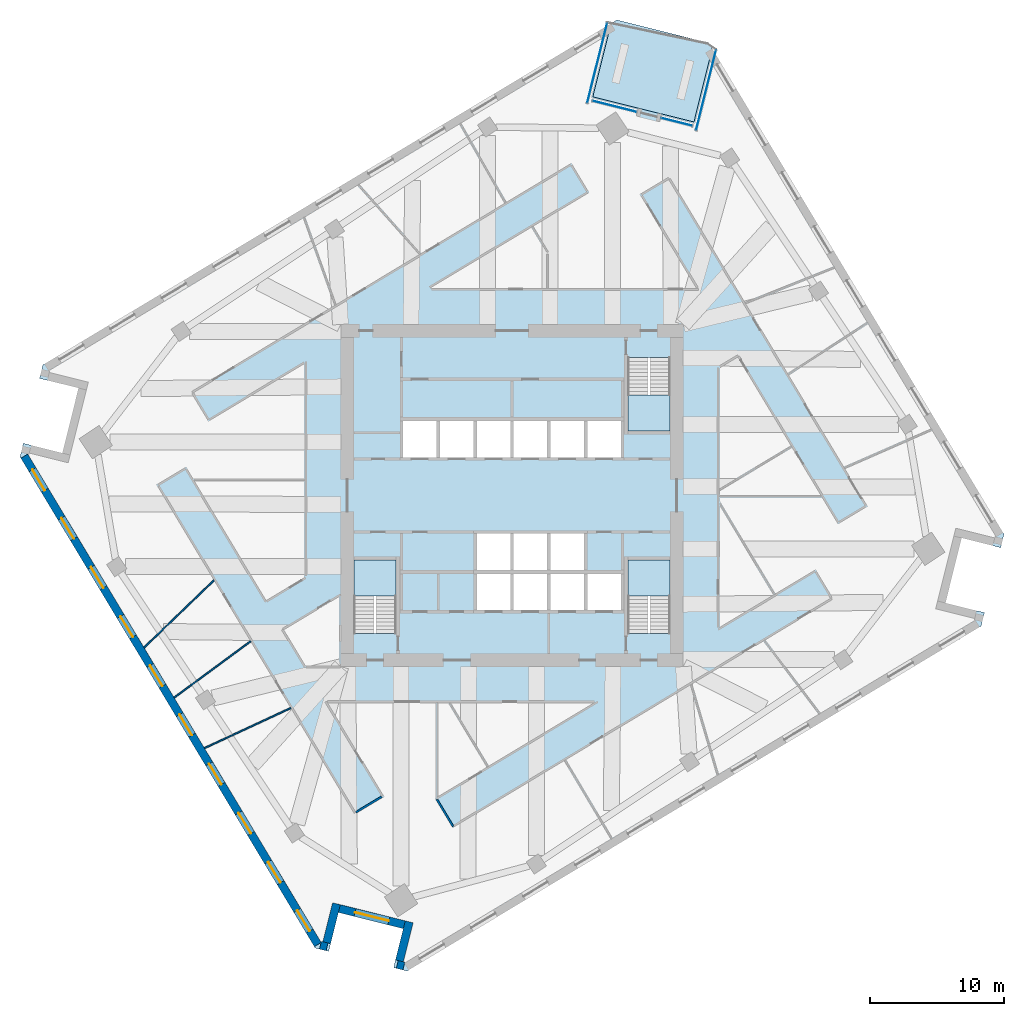
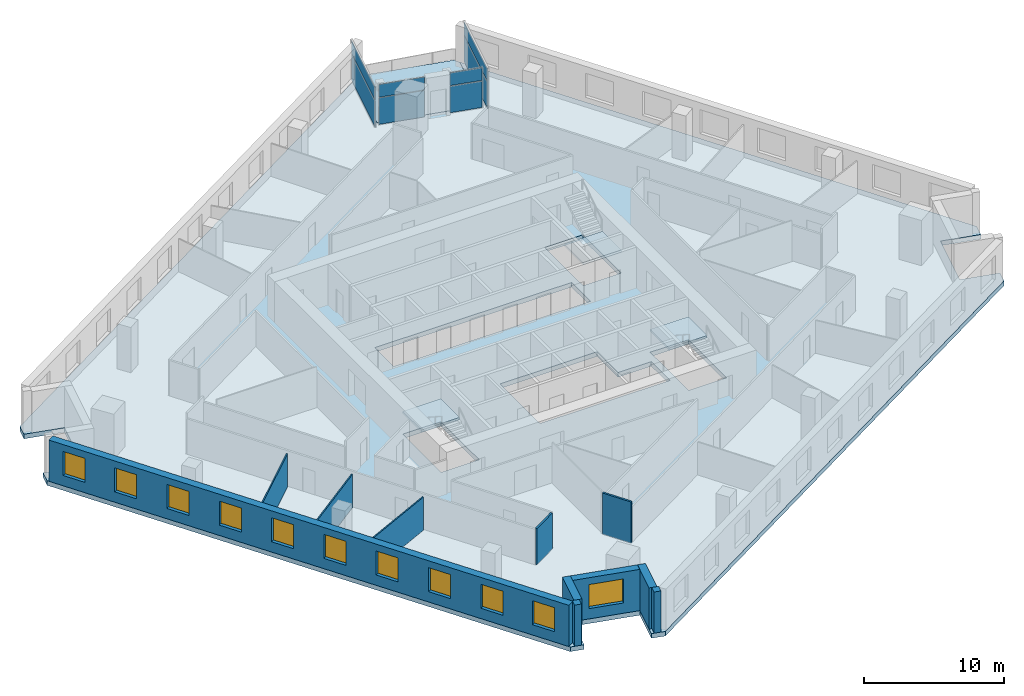
# One storey, part 5 of 14: 11 walls, 11 windows, 8 plates, 5 slabs, 11 openings, 7 elements without a shape of their own.
"""IFC4 building model written with IfcOpenShell, lengths in metres."""

import ifcopenshell
import ifcopenshell.guid

model = None  # the IFC model being written
_history = None  # IfcOwnerHistory: only IFC2X3 demands one
_inside = {}  # id of a spatial element -> (the spatial element, [elements in it])
_under = {}  # id of a project, library or spatial element -> (it, [spatial elements below it])
_declared = {}  # id of a project -> (the project, [libraries it declares])
_typed = {}  # id of a type object -> (the type object, [elements of that type])
_made_of = {}  # id of a material, layer set ... -> (it, [elements and type objects made of it])


def new_model(schema):
    """Start an empty IFC model of exactly this schema.

    Asked for "IFC4X3", IfcOpenShell would pick the latest addendum, in which some entities
    have other attributes; the version numbers below select the first issue.
    IFC2X3 requires an IfcOwnerHistory on every rooted entity: one is made here for all.
    """
    global model, _history
    if schema == "IFC4X3":
        model = ifcopenshell.file(schema_version=(4, 3, 0, 0))
    else:
        model = ifcopenshell.file(schema=schema)
    _inside.clear()
    _under.clear()
    _declared.clear()
    _typed.clear()
    _made_of.clear()
    _history = None
    if model.schema == "IFC2X3":
        org = make("IfcOrganization", Name="unknown")
        user = make(
            "IfcPersonAndOrganization",
            ThePerson=make("IfcPerson", FamilyName="unknown"),
            TheOrganization=org,
        )
        app = make(
            "IfcApplication",
            ApplicationDeveloper=org,
            Version="unknown",
            ApplicationFullName="unknown",
            ApplicationIdentifier="unknown",
        )
        _history = make(
            "IfcOwnerHistory",
            OwningUser=user,
            OwningApplication=app,
            ChangeAction="ADDED",
            CreationDate=0,
        )
    return model


def make(cls, **values):
    """One entity of the class cls with the attributes given. An attribute that is None is left unset."""
    return model.create_entity(
        cls, **{name: value for name, value in values.items() if value is not None}
    )


def rooted(cls, **values):
    """An entity with a GlobalId (a new one), such as an element, a storey or a relation."""
    return make(cls, GlobalId=ifcopenshell.guid.new(), OwnerHistory=_history, **values)


def si_unit(unit_type, name, prefix=None):
    """IfcSIUnit, for example si_unit("LENGTHUNIT", "METRE", prefix="MILLI")."""
    return make("IfcSIUnit", UnitType=unit_type, Prefix=prefix, Name=name)


def assignment(units):
    """IfcUnitAssignment: the units of a project."""
    return None if units is None else make("IfcUnitAssignment", Units=units)


def point(xyz):
    """IfcCartesianPoint."""
    return None if xyz is None else make("IfcCartesianPoint", Coordinates=xyz)


def direction(xyz):
    """IfcDirection."""
    return None if xyz is None else make("IfcDirection", DirectionRatios=xyz)


def frame(location, z_axis=None, x_axis=None):
    """IfcAxis2Placement3D, a coordinate frame: its origin and axes. An axis left out is left unset."""
    return make(
        "IfcAxis2Placement3D",
        Location=point(location),
        Axis=direction(z_axis),
        RefDirection=direction(x_axis),
    )


def frame_2d(location, x_axis=None):
    """IfcAxis2Placement2D, a coordinate frame in the plane: its origin and x axis."""
    return make(
        "IfcAxis2Placement2D", Location=point(location), RefDirection=direction(x_axis)
    )


def origin():
    """The frame at (0, 0, 0) with its axes left unset."""
    return frame((0.0, 0.0, 0.0))


def origin_2d():
    """The frame at (0, 0) in the plane with its x axis left unset."""
    return frame_2d((0.0, 0.0))


def place(relative_to, where):
    """IfcLocalPlacement: puts the frame where relative to a parent placement (None: the world)."""
    return make(
        "IfcLocalPlacement", PlacementRelTo=relative_to, RelativePlacement=where
    )


def context(
    kind, dimensions, precision=None, world=None, true_north=None, identifier=None
):
    """IfcGeometricRepresentationContext, for example the 3D "Model" context."""
    return make(
        "IfcGeometricRepresentationContext",
        ContextIdentifier=identifier,
        ContextType=kind,
        CoordinateSpaceDimension=dimensions,
        Precision=precision,
        WorldCoordinateSystem=world,
        TrueNorth=true_north,
    )


def subcontext(parent, identifier, kind, view, scale=None):
    """IfcGeometricRepresentationSubContext, for example "Body" below "Model"."""
    return make(
        "IfcGeometricRepresentationSubContext",
        ContextIdentifier=identifier,
        ContextType=kind,
        ParentContext=parent,
        TargetScale=scale,
        TargetView=view,
    )


def project(units=None, contexts=None):
    """IfcProject with its units and contexts."""
    return rooted(
        "IfcProject",
        Name="project",
        RepresentationContexts=contexts,
        UnitsInContext=assignment(units),
    )


def spatial(cls, under=None, at=None, **own):
    """A site, building, storey or space (cls), placed at a placement, below another one or the project."""
    s = rooted(cls, ObjectPlacement=at, **own)
    if under is not None:
        _under.setdefault(under.id(), (under, []))[1].append(s)
    return s


def polyline(points):
    """IfcPolyline through the points."""
    return make("IfcPolyline", Points=[point(p) for p in points])


def profile(cls, at=None, kind="AREA", **sizes):
    """A parametric profile (cls). Its sizes go by their IFC names, for example OverallWidth=200.0."""
    return make(cls, ProfileType=kind, Position=at, **sizes)


def rectangle(**sizes):
    """IfcRectangleProfileDef."""
    return profile("IfcRectangleProfileDef", **sizes)


def outline(outer, holes=None, kind="AREA"):
    """IfcArbitraryClosedProfileDef: a profile drawn as a closed curve; with holes, ...WithVoids."""
    if holes is None:
        return make("IfcArbitraryClosedProfileDef", ProfileType=kind, OuterCurve=outer)
    return make(
        "IfcArbitraryProfileDefWithVoids",
        ProfileType=kind,
        OuterCurve=outer,
        InnerCurves=holes,
    )


def extrude(swept, where, along, depth):
    """IfcExtrudedAreaSolid: the profile swept, set in the frame where, extruded along a direction by depth."""
    return make(
        "IfcExtrudedAreaSolid",
        SweptArea=swept,
        Position=where,
        ExtrudedDirection=direction(along),
        Depth=depth,
    )


def shape(context_of_items, identifier, shape_type, items):
    """IfcShapeRepresentation: the items that make up one representation, for example the "Body"."""
    return make(
        "IfcShapeRepresentation",
        ContextOfItems=context_of_items,
        RepresentationIdentifier=identifier,
        RepresentationType=shape_type,
        Items=items,
    )


def material(Name=None, Category=None):
    """IfcMaterial."""
    return make("IfcMaterial", Name=Name, Category=Category)


def layer(
    of_material, thickness, ventilated=None, Name=None, Category=None, Priority=None
):
    """IfcMaterialLayer: one layer of a wall or slab, of a material (None: an air gap)."""
    return make(
        "IfcMaterialLayer",
        Material=of_material,
        LayerThickness=thickness,
        IsVentilated=ventilated,
        Name=Name,
        Category=Category,
        Priority=Priority,
    )


def layer_set(layers, Name=None):
    """IfcMaterialLayerSet."""
    return make("IfcMaterialLayerSet", MaterialLayers=layers, LayerSetName=Name)


def made_of(thing, what):
    """Note that an element or type object is made of a material, layer set ...; save() writes the relation."""
    if what is not None:
        _made_of.setdefault(what.id(), (what, []))[1].append(thing)
    return thing


def type_object(cls, material=None, **own):
    """A type object (cls), such as IfcWallType, which elements share."""
    return made_of(rooted(cls, **own), material)


def element(
    cls,
    number,
    at=None,
    inside=None,
    cuts=None,
    type_object=None,
    material=None,
    context=None,
    identifier="Body",
    shape_type=None,
    held_by="IfcProductDefinitionShape",
    body=None,
    shapes=None,
    **own,
):
    """One element of the class cls, such as IfcWall. Its Tag is "e" and its number.

    at: its placement. inside: the storey or other place that contains it. cuts: it is an
    opening in that element (IfcRelVoidsElement). A single representation is given by context,
    identifier, shape_type and body (its items); several are given by shapes. held_by: the class
    of the entity that holds the representations. save() writes the other relations.
    """
    e = rooted(cls, Tag="e%d" % number, ObjectPlacement=at, **own)
    if body is not None:
        shapes = [shape(context, identifier, shape_type, body)]
    if shapes is not None:
        e.Representation = make(held_by, Representations=shapes)
    if inside is not None:
        _inside.setdefault(inside.id(), (inside, []))[1].append(e)
    if cuts is not None:
        rooted(
            "IfcRelVoidsElement", RelatingBuildingElement=cuts, RelatedOpeningElement=e
        )
    if type_object is not None:
        _typed.setdefault(type_object.id(), (type_object, []))[1].append(e)
    return made_of(e, material)


def fill(opening, filler):
    """IfcRelFillsElement: the door or window that sits in an opening."""
    return rooted(
        "IfcRelFillsElement",
        RelatingOpeningElement=opening,
        RelatedBuildingElement=filler,
    )


def aggregate(whole, parts):
    """IfcRelAggregates: a whole, such as a stair, and the parts it consists of."""
    return rooted("IfcRelAggregates", RelatingObject=whole, RelatedObjects=parts)


def save(model, path):
    """Write the relations noted so far, then the file.

    IfcRelAggregates (storeys below a building ...), IfcRelContainedInSpatialStructure (elements
    in a storey), IfcRelDefinesByType, IfcRelAssociatesMaterial and IfcRelDeclares: one each for
    every whole, place, type object, material and project.
    """
    for whole, parts in _under.values():
        aggregate(whole, parts)
    for where, things in _inside.values():
        rooted(
            "IfcRelContainedInSpatialStructure",
            RelatedElements=things,
            RelatingStructure=where,
        )
    for kind, things in _typed.values():
        rooted("IfcRelDefinesByType", RelatedObjects=things, RelatingType=kind)
    for what, things in _made_of.values():
        rooted("IfcRelAssociatesMaterial", RelatedObjects=things, RelatingMaterial=what)
    for by, libraries in _declared.values():
        rooted("IfcRelDeclares", RelatingContext=by, RelatedDefinitions=libraries)
    model.write(path)


model = new_model("IFC4")

# Units and contexts
model_context = context("Model", 3, precision=1e-05, world=origin(), true_north=direction((0.0, 1.0)))
body_context = subcontext(model_context, "Body", "Model", "MODEL_VIEW")
ifc_project = project(units=[si_unit("LENGTHUNIT", "METRE"), si_unit("AREAUNIT", "SQUARE_METRE"), si_unit("VOLUMEUNIT", "CUBIC_METRE"), si_unit("PLANEANGLEUNIT", "RADIAN"), si_unit("MASSUNIT", "GRAM", prefix="KILO")], contexts=[model_context])

# Site, building, storey
site_placement = place(None, origin())
site = spatial("IfcSite", under=ifc_project, at=site_placement, CompositionType="ELEMENT")
building_placement = place(site_placement, origin())
building = spatial("IfcBuilding", under=site, at=building_placement, Name="Dilmun Exchange Tower", CompositionType="ELEMENT")
storey_placement = place(building_placement, frame((0.0, 0.0, 147.699951171875)))
storey = spatial("IfcBuildingStorey", under=building, at=storey_placement, Name="L34", CompositionType="ELEMENT", Elevation=147.699951171875)

# Stair, slab
ifc_material_1 = material(Name="Concrete C40/50", Category="concrete")
stair_type = type_object("IfcStairType", Name="Exit stair 1500 half-turn", PredefinedType="HALF_TURN_STAIR", material=ifc_material_1)
stair_1_placement = place(storey_placement, origin())
stair_1 = element("IfcStair", 1, at=stair_1_placement, inside=storey, type_object=stair_type, Name="L34 Protected exit stair ST1", PredefinedType="HALF_TURN_STAIR")
ifc_layer_1 = layer(ifc_material_1, 0.199951171875)
ifc_layer_set_1 = layer_set([ifc_layer_1], Name="Concrete C40/50")
slab_type_1 = type_object("IfcSlabType", Name="Exit stair landing 200", PredefinedType="LANDING", material=ifc_layer_set_1)
slab_1_placement = place(storey_placement, frame((0.0, 0.0, 1.800048828125)))
slab_1 = element("IfcSlab", 2, at=slab_1_placement, type_object=slab_type_1, Name="ST1 landing 1", PredefinedType="LANDING", context=body_context, shape_type="SweptSolid", body=[
    extrude(outline(polyline([(8.64990234375, 7.5), (8.64990234375, 4.800048828125), (11.800048828125, 4.800048828125), (11.800048828125, 7.5), (8.64990234375, 7.5)])), origin(), (0.0, 0.0, 1.0), 0.199951171875),
])
aggregate(stair_1, [slab_1])

stair_2_placement = place(storey_placement, origin())
stair_2 = element("IfcStair", 3, at=stair_2_placement, inside=storey, type_object=stair_type, Name="L34 Protected exit stair ST2", PredefinedType="HALF_TURN_STAIR")
slab_2_placement = place(storey_placement, frame((0.0, 0.0, 1.800048828125)))
slab_2 = element("IfcSlab", 4, at=slab_2_placement, type_object=slab_type_1, Name="ST2 landing 1", PredefinedType="LANDING", context=body_context, shape_type="SweptSolid", body=[
    extrude(outline(polyline([(-8.64990234375, -7.5), (-8.64990234375, -4.800048828125), (-11.800048828125, -4.800048828125), (-11.800048828125, -7.5), (-8.64990234375, -7.5)])), origin(), (0.0, 0.0, 1.0), 0.199951171875),
])
aggregate(stair_2, [slab_2])

stair_3_placement = place(storey_placement, origin())
stair_3 = element("IfcStair", 5, at=stair_3_placement, inside=storey, type_object=stair_type, Name="L34 Protected exit stair ST3", PredefinedType="HALF_TURN_STAIR")
slab_3_placement = place(storey_placement, frame((0.0, 0.0, 1.800048828125)))
slab_3 = element("IfcSlab", 6, at=slab_3_placement, type_object=slab_type_1, Name="ST3 landing 1", PredefinedType="LANDING", context=body_context, shape_type="SweptSolid", body=[
    extrude(outline(polyline([(11.800048828125, -7.5), (11.800048828125, -4.800048828125), (8.64990234375, -4.800048828125), (8.64990234375, -7.5), (11.800048828125, -7.5)])), origin(), (0.0, 0.0, 1.0), 0.199951171875),
])
aggregate(stair_3, [slab_3])

# Curtain wall, plates
ifc_material_2 = material(Name="Anodised aluminium and clear glass", Category="aluminium")
curtain_wall_type = type_object("IfcCurtainWallType", Name="Garden corner glazing", PredefinedType="NOTDEFINED", material=ifc_material_2)
curtain_wall_1_placement = place(storey_placement, origin())
curtain_wall_1 = element("IfcCurtainWall", 7, at=curtain_wall_1_placement, inside=storey, type_object=curtain_wall_type, Name="Garden corner glazing run GC1.1", PredefinedType="NOTDEFINED")
ifc_material_3 = material(Name="Clear glass", Category="glass")
ifc_layer_2 = layer(ifc_material_3, 0.028076171875)
ifc_layer_set_2 = layer_set([ifc_layer_2], Name="Clear glass")
plate_type = type_object("IfcPlateType", Name="Garden corner glazing glass panel 28", PredefinedType="CURTAIN_PANEL", material=ifc_layer_set_2)
plate_1_placement = place(storey_placement, frame((14.486328125, 30.262939453125, 0.06005859375), z_axis=(0.0, 0.0, 1.0), x_axis=(-0.241914044119, -0.970297683836, 0.0)))
plate_1 = element("IfcPlate", 8, at=plate_1_placement, type_object=plate_type, Name="GC1.1 panel 1.1", PredefinedType="CURTAIN_PANEL", context=body_context, shape_type="SweptSolid", body=[
    extrude(rectangle(XDim=6.12646484375, YDim=0.028076171875, at=origin_2d()), origin(), (0.0, 0.0, 1.0), 2.31005859375),
])
plate_2_placement = place(storey_placement, frame((14.486328125, 30.262939453125, 2.43017578125), z_axis=(0.0, 0.0, 1.0), x_axis=(-0.241914044119, -0.970297683836, 0.0)))
plate_2 = element("IfcPlate", 9, at=plate_2_placement, type_object=plate_type, Name="GC1.1 panel 1.2", PredefinedType="CURTAIN_PANEL", context=body_context, shape_type="SweptSolid", body=[
    extrude(rectangle(XDim=6.12646484375, YDim=0.028076171875, at=origin_2d()), origin(), (0.0, 0.0, 1.0), 1.110107421875),
])
aggregate(curtain_wall_1, [plate_1, plate_2])

curtain_wall_2_placement = place(storey_placement, origin())
curtain_wall_2 = element("IfcCurtainWall", 10, at=curtain_wall_2_placement, inside=storey, type_object=curtain_wall_type, Name="Garden corner glazing run GC2.1", PredefinedType="NOTDEFINED")
plate_3_placement = place(storey_placement, frame((12.304443359375, 27.897216796875, 0.06005859375), z_axis=(0.0, 0.0, 1.0), x_axis=(-0.970291204971, 0.241940028841, 0.0)))
plate_3 = element("IfcPlate", 11, at=plate_3_placement, type_object=plate_type, Name="GC2.1 panel 1.1", PredefinedType="CURTAIN_PANEL", context=body_context, shape_type="SweptSolid", body=[
    extrude(rectangle(XDim=2.369140625, YDim=0.028076171875, at=origin_2d()), origin(), (0.0, 0.0, 1.0), 2.31005859375),
])
plate_4_placement = place(storey_placement, frame((12.304443359375, 27.897216796875, 2.43017578125), z_axis=(0.0, 0.0, 1.0), x_axis=(-0.970291204971, 0.241940028841, 0.0)))
plate_4 = element("IfcPlate", 12, at=plate_4_placement, type_object=plate_type, Name="GC2.1 panel 1.2", PredefinedType="CURTAIN_PANEL", context=body_context, shape_type="SweptSolid", body=[
    extrude(rectangle(XDim=2.369140625, YDim=0.028076171875, at=origin_2d()), origin(), (0.0, 0.0, 1.0), 1.110107421875),
])
aggregate(curtain_wall_2, [plate_3, plate_4])

curtain_wall_3_placement = place(storey_placement, origin())
curtain_wall_3 = element("IfcCurtainWall", 13, at=curtain_wall_3_placement, inside=storey, type_object=curtain_wall_type, Name="Garden corner glazing run GC2.3", PredefinedType="NOTDEFINED")
plate_5_placement = place(storey_placement, frame((7.65771484375, 29.055908203125, 0.06005859375), z_axis=(0.0, 0.0, 1.0), x_axis=(-0.970302450436, 0.24189492487, 0.0)))
plate_5 = element("IfcPlate", 14, at=plate_5_placement, type_object=plate_type, Name="GC2.3 panel 1.1", PredefinedType="CURTAIN_PANEL", context=body_context, shape_type="SweptSolid", body=[
    extrude(rectangle(XDim=3.369140625, YDim=0.028076171875, at=origin_2d()), origin(), (0.0, 0.0, 1.0), 2.31005859375),
])
plate_6_placement = place(storey_placement, frame((7.65771484375, 29.055908203125, 2.43017578125), z_axis=(0.0, 0.0, 1.0), x_axis=(-0.970302450436, 0.24189492487, 0.0)))
plate_6 = element("IfcPlate", 15, at=plate_6_placement, type_object=plate_type, Name="GC2.3 panel 1.2", PredefinedType="CURTAIN_PANEL", context=body_context, shape_type="SweptSolid", body=[
    extrude(rectangle(XDim=3.369140625, YDim=0.028076171875, at=origin_2d()), origin(), (0.0, 0.0, 1.0), 1.110107421875),
])
aggregate(curtain_wall_3, [plate_5, plate_6])

curtain_wall_4_placement = place(storey_placement, origin())
curtain_wall_4 = element("IfcCurtainWall", 16, at=curtain_wall_4_placement, inside=storey, type_object=curtain_wall_type, Name="Garden corner glazing run GC3.1", PredefinedType="NOTDEFINED")
plate_7_placement = place(storey_placement, frame((6.35693359375, 32.289794921875, 0.06005859375), z_axis=(0.0, 0.0, 1.0), x_axis=(0.241914044119, 0.970297683836, 0.0)))
plate_7 = element("IfcPlate", 17, at=plate_7_placement, type_object=plate_type, Name="GC3.1 panel 1.1", PredefinedType="CURTAIN_PANEL", context=body_context, shape_type="SweptSolid", body=[
    extrude(rectangle(XDim=6.12646484375, YDim=0.028076171875, at=origin_2d()), origin(), (0.0, 0.0, 1.0), 2.31005859375),
])
plate_8_placement = place(storey_placement, frame((6.35693359375, 32.289794921875, 2.43017578125), z_axis=(0.0, 0.0, 1.0), x_axis=(0.241914044119, 0.970297683836, 0.0)))
plate_8 = element("IfcPlate", 18, at=plate_8_placement, type_object=plate_type, Name="GC3.1 panel 1.2", PredefinedType="CURTAIN_PANEL", context=body_context, shape_type="SweptSolid", body=[
    extrude(rectangle(XDim=6.12646484375, YDim=0.028076171875, at=origin_2d()), origin(), (0.0, 0.0, 1.0), 1.110107421875),
])
aggregate(curtain_wall_4, [plate_7, plate_8])

# Slabs
ifc_layer_3 = layer(ifc_material_1, 0.39990234375)
ifc_layer_set_3 = layer_set([ifc_layer_3], Name="Concrete C40/50")
slab_type_2 = type_object("IfcSlabType", Name="RC floor slab 400", PredefinedType="FLOOR", material=ifc_layer_set_3)
slab_4_placement = place(storey_placement, frame((0.0, 0.0, -0.39990234375)))
element("IfcSlab", 19, at=slab_4_placement, inside=storey, type_object=slab_type_2, Name="Floor slab", PredefinedType="FLOOR", context=body_context, shape_type="SweptSolid", body=[
    extrude(outline(polyline([(36.486328125, -3.89697265625), (33.575439453125, -3.171142578125), (32.36572265625, -8.022705078125), (35.276611328125, -8.74853515625), (35.026123046875, -9.75341796875), (-7.832275390625, -35.505126953125), (-8.8369140625, -35.254638671875), (-8.111083984375, -32.34375), (-12.962646484375, -31.13427734375), (-13.6884765625, -34.044921875), (-14.693115234375, -33.79443359375), (-36.73681640625, 2.89208984375), (-36.486328125, 3.89697265625), (-33.575439453125, 3.171142578125), (-32.36572265625, 8.022705078125), (-35.276611328125, 8.74853515625), (-35.026123046875, 9.75341796875), (7.403564453125, 35.24755859375), (6.03759765625, 29.768798828125), (13.584716796875, 27.88720703125), (14.95068359375, 33.365966796875), (36.73681640625, -2.89208984375), (36.486328125, -3.89697265625)]), holes=[polyline([(-8.64990234375, -4.800048828125), (-11.800048828125, -4.800048828125), (-11.800048828125, -10.294921875), (-8.64990234375, -10.294921875), (-8.64990234375, -4.800048828125)]), polyline([(11.800048828125, -4.800048828125), (8.64990234375, -4.800048828125), (8.64990234375, -10.294921875), (11.800048828125, -10.294921875), (11.800048828125, -4.800048828125)]), polyline([(5.375, -2.85009765625), (-2.625, -2.85009765625), (-2.625, -8.550048828125), (8.125, -8.550048828125), (8.125, -5.85009765625), (5.375, -5.85009765625), (5.375, -2.85009765625)]), polyline([(8.125, 2.85009765625), (8.125, 5.550048828125), (-8.125, 5.550048828125), (-8.125, 2.85009765625), (8.125, 2.85009765625)]), polyline([(8.64990234375, 10.294921875), (8.64990234375, 4.800048828125), (11.800048828125, 4.800048828125), (11.800048828125, 10.294921875), (8.64990234375, 10.294921875)])]), origin(), (0.0, 0.0, 1.0), 0.39990234375),
])
ifc_layer_4 = layer(ifc_material_1, 0.300048828125)
ifc_layer_set_4 = layer_set([ifc_layer_4], Name="Concrete C40/50")
slab_type_3 = type_object("IfcSlabType", Name="RC garden terrace slab 300", PredefinedType="FLOOR", material=ifc_layer_set_4)
slab_5_placement = place(storey_placement, frame((0.0, 0.0, -0.300048828125)))
element("IfcSlab", 20, at=slab_5_placement, inside=storey, type_object=slab_type_3, Name="Garden terrace slab", PredefinedType="FLOOR", context=body_context, shape_type="SweptSolid", body=[
    extrude(outline(polyline([(6.03759765625, 29.768798828125), (7.403564453125, 35.24755859375), (7.832275390625, 35.505126953125), (14.693115234375, 33.79443359375), (14.95068359375, 33.365966796875), (13.584716796875, 27.88720703125), (6.03759765625, 29.768798828125)])), origin(), (0.0, 0.0, 1.0), 0.300048828125),
])

# Walls
ifc_material_4 = material(Name="Corridor wall 150")
ifc_layer_5 = layer(ifc_material_4, 0.14990234375)
ifc_layer_set_5 = layer_set([ifc_layer_5], Name="Corridor wall 150")
wall_type_1 = type_object("IfcWallType", Name="Corridor wall 150", PredefinedType="PARTITIONING", material=ifc_layer_set_5)
wall_1_placement = place(storey_placement, frame((-11.65771484375, -23.658447265625, 0.0), z_axis=(0.0, 0.0, 1.0), x_axis=(0.857128880098, 0.515102012131, 0.0)))
element("IfcWall", 21, at=wall_1_placement, inside=storey, type_object=wall_type_1, Name="Corridor wall", PredefinedType="PARTITIONING", context=body_context, shape_type="SweptSolid", body=[
    extrude(rectangle(XDim=2.25, YDim=0.14990234375, at=frame_2d((1.125, 0.0))), origin(), (0.0, 0.0, 1.0), 3.150146484375),
])
wall_2_placement = place(storey_placement, frame((-5.602294921875, -22.706298828125, 0.0), z_axis=(0.0, 0.0, 1.0), x_axis=(0.514835365114, -0.857289068417, 0.0)))
element("IfcWall", 22, at=wall_2_placement, inside=storey, type_object=wall_type_1, Name="Corridor wall", PredefinedType="PARTITIONING", context=body_context, shape_type="SweptSolid", body=[
    extrude(rectangle(XDim=2.325439453125, YDim=0.14990234375, at=frame_2d((1.16259765625, 0.0))), origin(), (0.0, 0.0, 1.0), 3.60009765625),
])
ifc_material_5 = material(Name="Partition 100")
ifc_layer_6 = layer(ifc_material_5, 0.10009765625)
ifc_layer_set_6 = layer_set([ifc_layer_6], Name="Partition 100")
wall_type_2 = type_object("IfcWallType", Name="Partition 100", PredefinedType="PARTITIONING", material=ifc_layer_set_6)
wall_3_placement = place(storey_placement, frame((-27.472900390625, -11.356689453125, 0.0), z_axis=(0.0, 0.0, 1.0), x_axis=(0.720430003107, 0.693527656711, 0.0)))
element("IfcWall", 23, at=wall_3_placement, inside=storey, type_object=wall_type_2, Name="Partition", PredefinedType="PARTITIONING", context=body_context, shape_type="SweptSolid", body=[
    extrude(rectangle(XDim=7.241943359375, YDim=0.10009765625, at=frame_2d((3.62109375, 0.0))), origin(), (0.0, 0.0, 1.0), 2.900146484375),
])
wall_4_placement = place(storey_placement, frame((-25.2275390625, -15.093505859375, 0.0), z_axis=(0.0, 0.0, 1.0), x_axis=(0.805036814034, 0.593224854545, 0.0)))
element("IfcWall", 24, at=wall_4_placement, inside=storey, type_object=wall_type_2, Name="Partition", PredefinedType="PARTITIONING", context=body_context, shape_type="SweptSolid", body=[
    extrude(rectangle(XDim=7.0966796875, YDim=0.10009765625, at=frame_2d((3.54833984375, 0.0))), origin(), (0.0, 0.0, 1.0), 2.900146484375),
])
wall_5_placement = place(storey_placement, frame((-22.962158203125, -18.864013671875, 0.0), z_axis=(0.0, 0.0, 1.0), x_axis=(0.906871101806, 0.421408121313, 0.0)))
element("IfcWall", 25, at=wall_5_placement, inside=storey, type_object=wall_type_2, Name="Partition", PredefinedType="PARTITIONING", context=body_context, shape_type="SweptSolid", body=[
    extrude(rectangle(XDim=7.1044921875, YDim=0.10009765625, at=frame_2d((3.55224609375, 0.0))), origin(), (0.0, 0.0, 1.0), 2.900146484375),
])

# Wall, openings, windows
ifc_material_6 = material(Name="Precast concrete C50/60", Category="concrete")
ifc_layer_7 = layer(ifc_material_6, 0.60009765625)
ifc_layer_set_7 = layer_set([ifc_layer_7], Name="Precast concrete C50/60")
wall_type_3 = type_object("IfcWallType", Name="Precast stone-clad wall 600", PredefinedType="STANDARD", material=ifc_layer_set_7)
wall_6_placement = place(storey_placement, frame((-36.415771484375, 2.940185546875, 0.0), z_axis=(0.0, 0.0, 1.0), x_axis=(0.515041561016, -0.857165206029, 0.0)))
wall_6 = element("IfcWall", 26, at=wall_6_placement, inside=storey, type_object=wall_type_3, Name="Facade wall L34-09", PredefinedType="STANDARD", context=body_context, shape_type="SweptSolid", body=[
    extrude(rectangle(XDim=42.551513671875, YDim=0.60009765625, at=frame_2d((21.27587890625, 0.0))), origin(), (0.0, 0.0, 1.0), 3.60009765625),
])
opening_1_placement = place(wall_6_placement, frame((1.177978515625, 0.0, 0.89990234375)))
opening_1 = element("IfcOpeningElement", 27, at=opening_1_placement, cuts=wall_6, Name="Opening W180-210", PredefinedType="OPENING", context=body_context, shape_type="SweptSolid", body=[
    extrude(rectangle(XDim=1.800048828125, YDim=2.10009765625, at=frame_2d((0.89990234375, 1.050048828125))), frame((0.0, 0.31005859375, 0.0), z_axis=(0.0, -1.0, 0.0), x_axis=(1.0, 0.0, 0.0)), (0.0, 0.0, 1.0), 0.6201171875),
])
opening_2_placement = place(wall_6_placement, frame((5.395751953125, 0.0, 0.89990234375)))
opening_2 = element("IfcOpeningElement", 28, at=opening_2_placement, cuts=wall_6, Name="Opening W180-210", PredefinedType="OPENING", context=body_context, shape_type="SweptSolid", body=[
    extrude(rectangle(XDim=1.800048828125, YDim=2.10009765625, at=frame_2d((0.89990234375, 1.050048828125))), frame((0.0, 0.31005859375, 0.0), z_axis=(0.0, -1.0, 0.0), x_axis=(1.0, 0.0, 0.0)), (0.0, 0.0, 1.0), 0.6201171875),
])
opening_3_placement = place(wall_6_placement, frame((9.67578125, 0.0, 0.89990234375)))
opening_3 = element("IfcOpeningElement", 29, at=opening_3_placement, cuts=wall_6, Name="Opening W180-210", PredefinedType="OPENING", context=body_context, shape_type="SweptSolid", body=[
    extrude(rectangle(XDim=1.800048828125, YDim=2.10009765625, at=frame_2d((0.89990234375, 1.050048828125))), frame((0.0, 0.31005859375, 0.0), z_axis=(0.0, -1.0, 0.0), x_axis=(1.0, 0.0, 0.0)), (0.0, 0.0, 1.0), 0.6201171875),
])
opening_4_placement = place(wall_6_placement, frame((13.955810546875, 0.0, 0.89990234375)))
opening_4 = element("IfcOpeningElement", 30, at=opening_4_placement, cuts=wall_6, Name="Opening W180-210", PredefinedType="OPENING", context=body_context, shape_type="SweptSolid", body=[
    extrude(rectangle(XDim=1.800048828125, YDim=2.10009765625, at=frame_2d((0.89990234375, 1.050048828125))), frame((0.0, 0.31005859375, 0.0), z_axis=(0.0, -1.0, 0.0), x_axis=(1.0, 0.0, 0.0)), (0.0, 0.0, 1.0), 0.6201171875),
])
opening_5_placement = place(wall_6_placement, frame((18.235595703125, 0.0, 0.89990234375)))
opening_5 = element("IfcOpeningElement", 31, at=opening_5_placement, cuts=wall_6, Name="Opening W180-210", PredefinedType="OPENING", context=body_context, shape_type="SweptSolid", body=[
    extrude(rectangle(XDim=1.800048828125, YDim=2.10009765625, at=frame_2d((0.89990234375, 1.050048828125))), frame((0.0, 0.31005859375, 0.0), z_axis=(0.0, -1.0, 0.0), x_axis=(1.0, 0.0, 0.0)), (0.0, 0.0, 1.0), 0.6201171875),
])
opening_6_placement = place(wall_6_placement, frame((22.515625, 0.0, 0.89990234375)))
opening_6 = element("IfcOpeningElement", 32, at=opening_6_placement, cuts=wall_6, Name="Opening W180-210", PredefinedType="OPENING", context=body_context, shape_type="SweptSolid", body=[
    extrude(rectangle(XDim=1.800048828125, YDim=2.10009765625, at=frame_2d((0.89990234375, 1.050048828125))), frame((0.0, 0.31005859375, 0.0), z_axis=(0.0, -1.0, 0.0), x_axis=(1.0, 0.0, 0.0)), (0.0, 0.0, 1.0), 0.6201171875),
])
opening_7_placement = place(wall_6_placement, frame((26.795654296875, 0.0, 0.89990234375)))
opening_7 = element("IfcOpeningElement", 33, at=opening_7_placement, cuts=wall_6, Name="Opening W180-210", PredefinedType="OPENING", context=body_context, shape_type="SweptSolid", body=[
    extrude(rectangle(XDim=1.800048828125, YDim=2.10009765625, at=frame_2d((0.89990234375, 1.050048828125))), frame((0.0, 0.31005859375, 0.0), z_axis=(0.0, -1.0, 0.0), x_axis=(1.0, 0.0, 0.0)), (0.0, 0.0, 1.0), 0.6201171875),
])
opening_8_placement = place(wall_6_placement, frame((31.07568359375, 0.0, 0.89990234375)))
opening_8 = element("IfcOpeningElement", 34, at=opening_8_placement, cuts=wall_6, Name="Opening W180-210", PredefinedType="OPENING", context=body_context, shape_type="SweptSolid", body=[
    extrude(rectangle(XDim=1.800048828125, YDim=2.10009765625, at=frame_2d((0.89990234375, 1.050048828125))), frame((0.0, 0.31005859375, 0.0), z_axis=(0.0, -1.0, 0.0), x_axis=(1.0, 0.0, 0.0)), (0.0, 0.0, 1.0), 0.6201171875),
])
opening_9_placement = place(wall_6_placement, frame((35.355712890625, 0.0, 0.89990234375)))
opening_9 = element("IfcOpeningElement", 35, at=opening_9_placement, cuts=wall_6, Name="Opening W180-210", PredefinedType="OPENING", context=body_context, shape_type="SweptSolid", body=[
    extrude(rectangle(XDim=1.800048828125, YDim=2.10009765625, at=frame_2d((0.89990234375, 1.050048828125))), frame((0.0, 0.31005859375, 0.0), z_axis=(0.0, -1.0, 0.0), x_axis=(1.0, 0.0, 0.0)), (0.0, 0.0, 1.0), 0.6201171875),
])
opening_10_placement = place(wall_6_placement, frame((39.573486328125, 0.0, 0.89990234375)))
opening_10 = element("IfcOpeningElement", 36, at=opening_10_placement, cuts=wall_6, Name="Opening W180-210", PredefinedType="OPENING", context=body_context, shape_type="SweptSolid", body=[
    extrude(rectangle(XDim=1.800048828125, YDim=2.10009765625, at=frame_2d((0.89990234375, 1.050048828125))), frame((0.0, 0.31005859375, 0.0), z_axis=(0.0, -1.0, 0.0), x_axis=(1.0, 0.0, 0.0)), (0.0, 0.0, 1.0), 0.6201171875),
])
ifc_material_7 = material(Name="Clear low-emissivity glass in aluminium frame", Category="aluminium")
window_type_1 = type_object("IfcWindowType", Name="Punched window 1800 x 2100", PartitioningType="DOUBLE_PANEL_VERTICAL", PredefinedType="WINDOW", material=ifc_material_7)
window_1_placement = place(opening_1_placement, origin())
window_1 = element("IfcWindow", 37, at=window_1_placement, inside=storey, type_object=window_type_1, Name="Window 10.1", OverallHeight=2.10009765625, OverallWidth=1.800048828125, PartitioningType="SINGLE_PANEL", PredefinedType="WINDOW", context=body_context, shape_type="SweptSolid", body=[
    extrude(rectangle(XDim=1.800048828125, YDim=2.10009765625, at=frame_2d((0.89990234375, 1.050048828125))), frame((0.0, 0.030029296875, 0.0), z_axis=(0.0, -1.0, 0.0), x_axis=(1.0, 0.0, 0.0)), (0.0, 0.0, 1.0), 0.06005859375),
])
fill(opening_1, window_1)
window_2_placement = place(opening_2_placement, origin())
window_2 = element("IfcWindow", 38, at=window_2_placement, inside=storey, type_object=window_type_1, Name="Window 10.2", OverallHeight=2.10009765625, OverallWidth=1.800048828125, PartitioningType="SINGLE_PANEL", PredefinedType="WINDOW", context=body_context, shape_type="SweptSolid", body=[
    extrude(rectangle(XDim=1.800048828125, YDim=2.10009765625, at=frame_2d((0.89990234375, 1.050048828125))), frame((0.0, 0.030029296875, 0.0), z_axis=(0.0, -1.0, 0.0), x_axis=(1.0, 0.0, 0.0)), (0.0, 0.0, 1.0), 0.06005859375),
])
fill(opening_2, window_2)
window_3_placement = place(opening_3_placement, origin())
window_3 = element("IfcWindow", 39, at=window_3_placement, inside=storey, type_object=window_type_1, Name="Window 10.3", OverallHeight=2.10009765625, OverallWidth=1.800048828125, PartitioningType="SINGLE_PANEL", PredefinedType="WINDOW", context=body_context, shape_type="SweptSolid", body=[
    extrude(rectangle(XDim=1.800048828125, YDim=2.10009765625, at=frame_2d((0.89990234375, 1.050048828125))), frame((0.0, 0.030029296875, 0.0), z_axis=(0.0, -1.0, 0.0), x_axis=(1.0, 0.0, 0.0)), (0.0, 0.0, 1.0), 0.06005859375),
])
fill(opening_3, window_3)
window_4_placement = place(opening_4_placement, origin())
window_4 = element("IfcWindow", 40, at=window_4_placement, inside=storey, type_object=window_type_1, Name="Window 10.4", OverallHeight=2.10009765625, OverallWidth=1.800048828125, PartitioningType="SINGLE_PANEL", PredefinedType="WINDOW", context=body_context, shape_type="SweptSolid", body=[
    extrude(rectangle(XDim=1.800048828125, YDim=2.10009765625, at=frame_2d((0.89990234375, 1.050048828125))), frame((0.0, 0.030029296875, 0.0), z_axis=(0.0, -1.0, 0.0), x_axis=(1.0, 0.0, 0.0)), (0.0, 0.0, 1.0), 0.06005859375),
])
fill(opening_4, window_4)
window_5_placement = place(opening_5_placement, origin())
window_5 = element("IfcWindow", 41, at=window_5_placement, inside=storey, type_object=window_type_1, Name="Window 10.5", OverallHeight=2.10009765625, OverallWidth=1.800048828125, PartitioningType="SINGLE_PANEL", PredefinedType="WINDOW", context=body_context, shape_type="SweptSolid", body=[
    extrude(rectangle(XDim=1.800048828125, YDim=2.10009765625, at=frame_2d((0.89990234375, 1.050048828125))), frame((0.0, 0.030029296875, 0.0), z_axis=(0.0, -1.0, 0.0), x_axis=(1.0, 0.0, 0.0)), (0.0, 0.0, 1.0), 0.06005859375),
])
fill(opening_5, window_5)
window_6_placement = place(opening_6_placement, origin())
window_6 = element("IfcWindow", 42, at=window_6_placement, inside=storey, type_object=window_type_1, Name="Window 10.6", OverallHeight=2.10009765625, OverallWidth=1.800048828125, PartitioningType="SINGLE_PANEL", PredefinedType="WINDOW", context=body_context, shape_type="SweptSolid", body=[
    extrude(rectangle(XDim=1.800048828125, YDim=2.10009765625, at=frame_2d((0.89990234375, 1.050048828125))), frame((0.0, 0.030029296875, 0.0), z_axis=(0.0, -1.0, 0.0), x_axis=(1.0, 0.0, 0.0)), (0.0, 0.0, 1.0), 0.06005859375),
])
fill(opening_6, window_6)
window_7_placement = place(opening_7_placement, origin())
window_7 = element("IfcWindow", 43, at=window_7_placement, inside=storey, type_object=window_type_1, Name="Window 10.7", OverallHeight=2.10009765625, OverallWidth=1.800048828125, PartitioningType="SINGLE_PANEL", PredefinedType="WINDOW", context=body_context, shape_type="SweptSolid", body=[
    extrude(rectangle(XDim=1.800048828125, YDim=2.10009765625, at=frame_2d((0.89990234375, 1.050048828125))), frame((0.0, 0.030029296875, 0.0), z_axis=(0.0, -1.0, 0.0), x_axis=(1.0, 0.0, 0.0)), (0.0, 0.0, 1.0), 0.06005859375),
])
fill(opening_7, window_7)
window_8_placement = place(opening_8_placement, origin())
window_8 = element("IfcWindow", 44, at=window_8_placement, inside=storey, type_object=window_type_1, Name="Window 10.8", OverallHeight=2.10009765625, OverallWidth=1.800048828125, PartitioningType="SINGLE_PANEL", PredefinedType="WINDOW", context=body_context, shape_type="SweptSolid", body=[
    extrude(rectangle(XDim=1.800048828125, YDim=2.10009765625, at=frame_2d((0.89990234375, 1.050048828125))), frame((0.0, 0.030029296875, 0.0), z_axis=(0.0, -1.0, 0.0), x_axis=(1.0, 0.0, 0.0)), (0.0, 0.0, 1.0), 0.06005859375),
])
fill(opening_8, window_8)
window_9_placement = place(opening_9_placement, origin())
window_9 = element("IfcWindow", 45, at=window_9_placement, inside=storey, type_object=window_type_1, Name="Window 10.9", OverallHeight=2.10009765625, OverallWidth=1.800048828125, PartitioningType="SINGLE_PANEL", PredefinedType="WINDOW", context=body_context, shape_type="SweptSolid", body=[
    extrude(rectangle(XDim=1.800048828125, YDim=2.10009765625, at=frame_2d((0.89990234375, 1.050048828125))), frame((0.0, 0.030029296875, 0.0), z_axis=(0.0, -1.0, 0.0), x_axis=(1.0, 0.0, 0.0)), (0.0, 0.0, 1.0), 0.06005859375),
])
fill(opening_9, window_9)
window_10_placement = place(opening_10_placement, origin())
window_10 = element("IfcWindow", 46, at=window_10_placement, inside=storey, type_object=window_type_1, Name="Window 10.10", OverallHeight=2.10009765625, OverallWidth=1.800048828125, PartitioningType="SINGLE_PANEL", PredefinedType="WINDOW", context=body_context, shape_type="SweptSolid", body=[
    extrude(rectangle(XDim=1.800048828125, YDim=2.10009765625, at=frame_2d((0.89990234375, 1.050048828125))), frame((0.0, 0.030029296875, 0.0), z_axis=(0.0, -1.0, 0.0), x_axis=(1.0, 0.0, 0.0)), (0.0, 0.0, 1.0), 0.06005859375),
])
fill(opening_10, window_10)

# Walls
wall_7_placement = place(storey_placement, frame((-14.305908203125, -33.581787109375, 0.0), z_axis=(0.0, 0.0, 1.0), x_axis=(0.970254746074, -0.242086198947, 0.0)))
element("IfcWall", 47, at=wall_7_placement, inside=storey, type_object=wall_type_3, Name="Facade wall L34-10", PredefinedType="STANDARD", context=body_context, shape_type="SweptSolid", body=[
    extrude(rectangle(XDim=0.51123046875, YDim=0.60009765625, at=frame_2d((0.255615234375, 0.0))), origin(), (0.0, 0.0, 1.0), 3.60009765625),
])
wall_8_placement = place(storey_placement, frame((-13.83447265625, -33.390380859375, 0.0), z_axis=(0.0, 0.0, 1.0), x_axis=(0.241941986192, 0.970290716908, 0.0)))
element("IfcWall", 48, at=wall_8_placement, inside=storey, type_object=wall_type_3, Name="Facade wall L34-11", PredefinedType="STANDARD", context=body_context, shape_type="SweptSolid", body=[
    extrude(rectangle(XDim=3.0, YDim=0.60009765625, at=frame_2d((1.5, 0.0))), origin(), (0.0, 0.0, 1.0), 3.60009765625),
])

# Wall, opening, window
wall_9_placement = place(storey_placement, frame((-12.89013671875, -30.843017578125, 0.0), z_axis=(0.0, 0.0, 1.0), x_axis=(0.970291669613, -0.241938165405, 0.0)))
wall_9 = element("IfcWall", 49, at=wall_9_placement, inside=storey, type_object=wall_type_3, Name="Facade wall L34-12", PredefinedType="STANDARD", context=body_context, shape_type="SweptSolid", body=[
    extrude(rectangle(XDim=5.0, YDim=0.60009765625, at=frame_2d((2.5, 0.0))), origin(), (0.0, 0.0, 1.0), 3.60009765625),
])
opening_11_placement = place(wall_9_placement, frame((1.199951171875, 0.0, 0.89990234375)))
opening_11 = element("IfcOpeningElement", 50, at=opening_11_placement, cuts=wall_9, Name="Opening W260-210", PredefinedType="OPENING", context=body_context, shape_type="SweptSolid", body=[
    extrude(rectangle(XDim=2.60009765625, YDim=2.10009765625, at=frame_2d((1.300048828125, 1.050048828125))), frame((0.0, 0.31005859375, 0.0), z_axis=(0.0, -1.0, 0.0), x_axis=(1.0, 0.0, 0.0)), (0.0, 0.0, 1.0), 0.6201171875),
])
window_type_2 = type_object("IfcWindowType", Name="Punched window 2600 x 2100", PartitioningType="DOUBLE_PANEL_VERTICAL", PredefinedType="WINDOW", material=ifc_material_7)
window_11_placement = place(opening_11_placement, origin())
window_11 = element("IfcWindow", 51, at=window_11_placement, inside=storey, type_object=window_type_2, Name="Window 13.1", OverallHeight=2.10009765625, OverallWidth=2.60009765625, PartitioningType="SINGLE_PANEL", PredefinedType="WINDOW", context=body_context, shape_type="SweptSolid", body=[
    extrude(rectangle(XDim=2.60009765625, YDim=2.10009765625, at=frame_2d((1.300048828125, 1.050048828125))), frame((0.0, 0.030029296875, 0.0), z_axis=(0.0, -1.0, 0.0), x_axis=(1.0, 0.0, 0.0)), (0.0, 0.0, 1.0), 0.06005859375),
])
fill(opening_11, window_11)

# Walls
wall_10_placement = place(storey_placement, frame((-7.6748046875, -31.834228515625, 0.0), z_axis=(0.0, 0.0, 1.0), x_axis=(-0.241941986192, -0.970290716908, 0.0)))
element("IfcWall", 52, at=wall_10_placement, inside=storey, type_object=wall_type_3, Name="Facade wall L34-13", PredefinedType="STANDARD", context=body_context, shape_type="SweptSolid", body=[
    extrude(rectangle(XDim=3.0, YDim=0.60009765625, at=frame_2d((1.5, 0.0))), origin(), (0.0, 0.0, 1.0), 3.60009765625),
])
wall_11_placement = place(storey_placement, frame((-8.5703125, -35.011962890625, 0.0), z_axis=(0.0, 0.0, 1.0), x_axis=(0.970366809683, -0.241636616978, 0.0)))
element("IfcWall", 53, at=wall_11_placement, inside=storey, type_object=wall_type_3, Name="Facade wall L34-14", PredefinedType="STANDARD", context=body_context, shape_type="SweptSolid", body=[
    extrude(rectangle(XDim=0.51123046875, YDim=0.60009765625, at=frame_2d((0.255615234375, 0.0))), origin(), (0.0, 0.0, 1.0), 3.60009765625),
])

save(model, "model.ifc")
